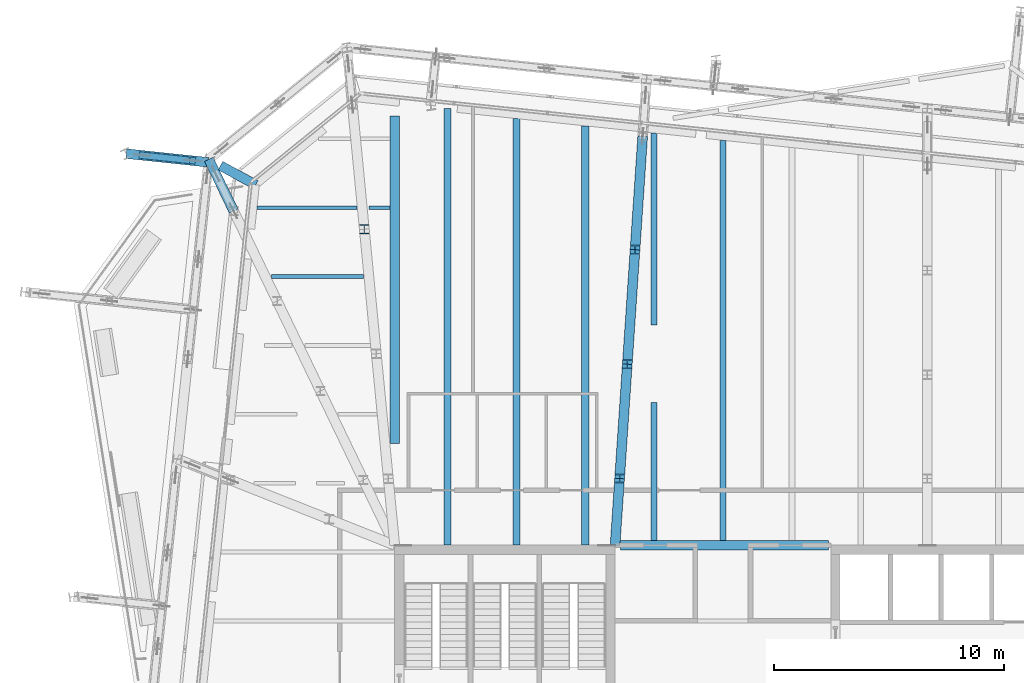
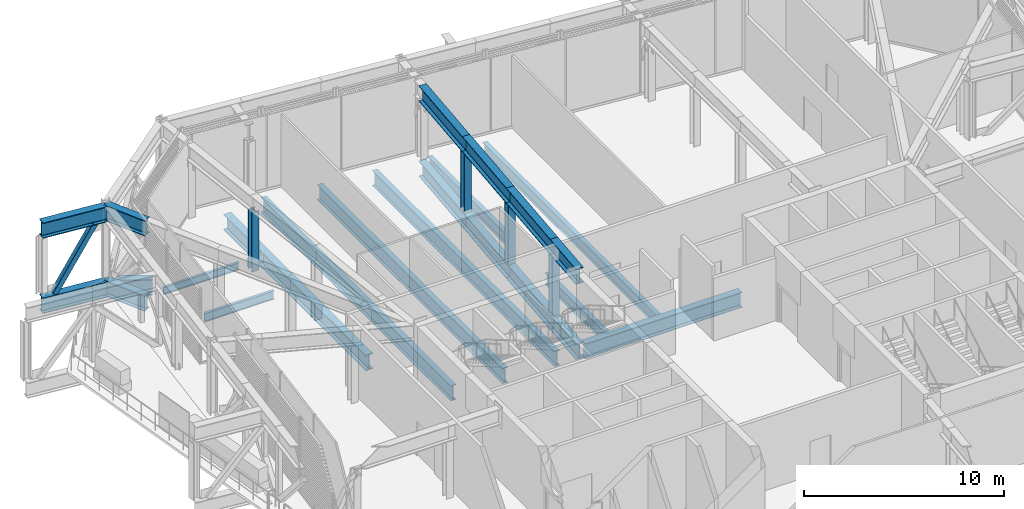
# One storey, part 14 of 36: 24 beams, 5 members.
"""IFC4 building model written with IfcOpenShell, lengths in metres."""

from ifc_helpers import new_model, si_unit, direction, frame, origin, origin_2d, place, context, subcontext, project, spatial, hollow_rectangle, i_section, extrude, material, material_profile, profile_set, type_object, element, save


model = new_model("IFC4")

# Units and contexts
model_context = context("Model", 3, precision=1e-05, world=origin(), true_north=direction((0.0, 1.0)))
body_context = subcontext(model_context, "Body", "Model", "MODEL_VIEW")
ifc_project = project(units=[si_unit("LENGTHUNIT", "METRE"), si_unit("AREAUNIT", "SQUARE_METRE"), si_unit("VOLUMEUNIT", "CUBIC_METRE"), si_unit("PLANEANGLEUNIT", "RADIAN"), si_unit("MASSUNIT", "GRAM", prefix="KILO")], contexts=[model_context])

# Site, building, storey
site_placement = place(None, origin())
site = spatial("IfcSite", under=ifc_project, at=site_placement, CompositionType="ELEMENT")
building_placement = place(site_placement, origin())
building = spatial("IfcBuilding", under=site, at=building_placement, Name="Millrace Tower", CompositionType="ELEMENT")
storey_placement = place(building_placement, frame((0.0, 0.0, 271.39990234375)))
storey = spatial("IfcBuildingStorey", under=building, at=storey_placement, Name="L62", CompositionType="ELEMENT", Elevation=271.39990234375)

# Beams
ifc_material_1 = material(Name="Steel ASTM A992 Grade 50", Category="steel")
ifc_material_profile_1 = material_profile(ifc_material_1, i_section(OverallWidth=0.15234375, OverallDepth=0.449462890625, WebThickness=0.007568359375, FlangeThickness=0.0107421875, FilletRadius=0.01025390625, at=origin_2d()))
ifc_profile_set_1 = profile_set([ifc_material_profile_1], Name="Steel ASTM A992 Grade 50")
beam_type_1 = type_object("IfcBeamType", Name="Floor beam W18x35", PredefinedType="JOIST", material=ifc_profile_set_1)
beam_1_placement = place(storey_placement, frame((-20.301025390625, 24.0, -0.384765625), z_axis=(1.0, 0.0, 0.0), x_axis=(0.0, 1.0, 0.0)))
element("IfcBeam", 1, at=beam_1_placement, inside=storey, type_object=beam_type_1, Name="BM-E-L62-S1-S033-a", PredefinedType="JOIST", context=body_context, shape_type="SweptSolid", body=[
    extrude(i_section(OverallWidth=0.15234375, OverallDepth=0.449462890625, WebThickness=0.007568359375, FlangeThickness=0.0107421875, FilletRadius=0.01025390625, at=origin_2d()), origin(), (0.0, 0.0, 1.0), 4.365234375),
])
beam_2_placement = place(storey_placement, frame((-15.424560546875, 24.0, -0.384765625), z_axis=(1.0, 0.0, 0.0), x_axis=(0.0, 1.0, 0.0)))
element("IfcBeam", 2, at=beam_2_placement, inside=storey, type_object=beam_type_1, Name="BM-E-L62-S1-S033-b", PredefinedType="JOIST", context=body_context, shape_type="SweptSolid", body=[
    extrude(i_section(OverallWidth=0.15234375, OverallDepth=0.449462890625, WebThickness=0.007568359375, FlangeThickness=0.0107421875, FilletRadius=0.01025390625, at=origin_2d()), origin(), (0.0, 0.0, 1.0), 0.9150390625),
])
ifc_material_2 = material(Name="Steel ASTM A992 Grade 50", Category="steel")
ifc_material_profile_2 = material_profile(ifc_material_2, i_section(OverallWidth=0.1650390625, OverallDepth=0.52587890625, WebThickness=0.0087890625, FlangeThickness=0.011474609375, FilletRadius=0.0126953125, at=origin_2d()))
ifc_profile_set_2 = profile_set([ifc_material_profile_2], Name="Steel ASTM A992 Grade 50")
beam_type_2 = type_object("IfcBeamType", Name="Floor beam W21x44", PredefinedType="JOIST", material=ifc_profile_set_2)
beam_3_placement = place(storey_placement, frame((-19.658203125, 21.0, -0.4228515625), z_axis=(1.0, 0.0, 0.0), x_axis=(0.0, 1.0, 0.0)))
element("IfcBeam", 3, at=beam_3_placement, inside=storey, type_object=beam_type_2, Name="BM-E-L62-S1-S031", PredefinedType="JOIST", context=body_context, shape_type="SweptSolid", body=[
    extrude(i_section(OverallWidth=0.1650390625, OverallDepth=0.52587890625, WebThickness=0.0087890625, FlangeThickness=0.011474609375, FilletRadius=0.0126953125, at=origin_2d()), origin(), (0.0, 0.0, 1.0), 4.008544921875),
])
ifc_material_3 = material(Name="Steel ASTM A992 Grade 50", Category="steel")
ifc_material_profile_3 = material_profile(ifc_material_3, i_section(OverallWidth=0.256591796875, OverallDepth=0.693359375, WebThickness=0.014404296875, FlangeThickness=0.023681640625, FilletRadius=0.01513671875, at=origin_2d()))
ifc_profile_set_3 = profile_set([ifc_material_profile_3], Name="Steel ASTM A992 Grade 50")
beam_type_3 = type_object("IfcBeamType", Name="Floor beam W27x114", PredefinedType="JOIST", material=ifc_profile_set_3)
beam_4_placement = place(storey_placement, frame((0.0, 9.509521484375, -0.506591796875), z_axis=(0.0, 1.0, 0.0), x_axis=(-1.0, 0.0, 0.0)))
element("IfcBeam", 4, at=beam_4_placement, inside=storey, type_object=beam_type_3, Name="BM-E-L62-S1-S044", PredefinedType="JOIST", context=body_context, shape_type="SweptSolid", body=[
    extrude(i_section(OverallWidth=0.256591796875, OverallDepth=0.693359375, WebThickness=0.014404296875, FlangeThickness=0.023681640625, FilletRadius=0.01513671875, at=origin_2d()), origin(), (0.0, 0.0, 1.0), 17.427734375),
])
beam_5_placement = place(storey_placement, frame((-3.0, 9.509521484375, -0.506591796875), z_axis=(0.0, 1.0, 0.0), x_axis=(-1.0, 0.0, 0.0)))
element("IfcBeam", 5, at=beam_5_placement, inside=storey, type_object=beam_type_3, Name="BM-E-L62-S1-S042-a", PredefinedType="JOIST", context=body_context, shape_type="SweptSolid", body=[
    extrude(i_section(OverallWidth=0.256591796875, OverallDepth=0.693359375, WebThickness=0.014404296875, FlangeThickness=0.023681640625, FilletRadius=0.01513671875, at=origin_2d()), origin(), (0.0, 0.0, 1.0), 5.999267578125),
])
beam_6_placement = place(storey_placement, frame((-3.0, 18.897705078125, -0.506591796875), z_axis=(0.0, 1.0, 0.0), x_axis=(-1.0, 0.0, 0.0)))
element("IfcBeam", 6, at=beam_6_placement, inside=storey, type_object=beam_type_3, Name="BM-E-L62-S1-S042-b", PredefinedType="JOIST", context=body_context, shape_type="SweptSolid", body=[
    extrude(i_section(OverallWidth=0.256591796875, OverallDepth=0.693359375, WebThickness=0.014404296875, FlangeThickness=0.023681640625, FilletRadius=0.01513671875, at=origin_2d()), origin(), (0.0, 0.0, 1.0), 8.35498046875),
])
ifc_material_4 = material(Name="Steel ASTM A992 Grade 50", Category="steel")
ifc_material_profile_4 = material_profile(ifc_material_4, i_section(OverallWidth=0.307373046875, OverallDepth=0.927001953125, WebThickness=0.01953125, FlangeThickness=0.031982421875, FilletRadius=0.01904296875, at=origin_2d()))
ifc_profile_set_4 = profile_set([ifc_material_profile_4], Name="Steel ASTM A992 Grade 50")
beam_type_4 = type_object("IfcBeamType", Name="Floor beam W36x194", PredefinedType="JOIST", material=ifc_profile_set_4)
beam_7_placement = place(storey_placement, frame((-12.0, 9.300048828125, -0.62353515625), z_axis=(0.0, 1.0, 0.0), x_axis=(-1.0, 0.0, 0.0)))
element("IfcBeam", 7, at=beam_7_placement, inside=storey, type_object=beam_type_4, Name="BM-E-L62-S1-S036", PredefinedType="JOIST", context=body_context, shape_type="SweptSolid", body=[
    extrude(i_section(OverallWidth=0.307373046875, OverallDepth=0.927001953125, WebThickness=0.01953125, FlangeThickness=0.031982421875, FilletRadius=0.01904296875, at=origin_2d()), origin(), (0.0, 0.0, 1.0), 19.030517578125),
])
beam_8_placement = place(storey_placement, frame((-9.0, 9.300048828125, -0.62353515625), z_axis=(0.0, 1.0, 0.0), x_axis=(-1.0, 0.0, 0.0)))
element("IfcBeam", 8, at=beam_8_placement, inside=storey, type_object=beam_type_4, Name="BM-E-L62-S1-S038", PredefinedType="JOIST", context=body_context, shape_type="SweptSolid", body=[
    extrude(i_section(OverallWidth=0.307373046875, OverallDepth=0.927001953125, WebThickness=0.01953125, FlangeThickness=0.031982421875, FilletRadius=0.01904296875, at=origin_2d()), origin(), (0.0, 0.0, 1.0), 18.583251953125),
])
beam_9_placement = place(storey_placement, frame((-6.0, 9.300048828125, -0.62353515625), z_axis=(0.0, 1.0, 0.0), x_axis=(-1.0, 0.0, 0.0)))
element("IfcBeam", 9, at=beam_9_placement, inside=storey, type_object=beam_type_4, Name="BM-E-L62-S1-S040", PredefinedType="JOIST", context=body_context, shape_type="SweptSolid", body=[
    extrude(i_section(OverallWidth=0.307373046875, OverallDepth=0.927001953125, WebThickness=0.01953125, FlangeThickness=0.031982421875, FilletRadius=0.01904296875, at=origin_2d()), origin(), (0.0, 0.0, 1.0), 18.267822265625),
])
ifc_material_5 = material(Name="Steel ASTM A992 Grade 50", Category="steel")
ifc_material_profile_5 = material_profile(ifc_material_5, i_section(OverallWidth=0.424072265625, OverallDepth=0.947509765625, WebThickness=0.02392578125, FlangeThickness=0.042724609375, FilletRadius=0.024169921875, at=origin_2d()))
ifc_profile_set_5 = profile_set([ifc_material_profile_5], Name="Steel ASTM A992 Grade 50")
beam_type_5 = type_object("IfcBeamType", Name="Girder medium span W36x302", PredefinedType="BEAM", material=ifc_profile_set_5)
beam_10_placement = place(storey_placement, frame((-14.300048828125, 13.729248046875, -0.633544921875), z_axis=(0.0, 1.0, 0.0), x_axis=(-1.0, 0.0, 0.0)))
element("IfcBeam", 10, at=beam_10_placement, inside=storey, type_object=beam_type_5, Name="BM-E-L62-S1-G054-b", PredefinedType="BEAM", context=body_context, shape_type="SweptSolid", body=[
    extrude(i_section(OverallWidth=0.424072265625, OverallDepth=0.947509765625, WebThickness=0.02392578125, FlangeThickness=0.042724609375, FilletRadius=0.024169921875, at=origin_2d()), origin(), (0.0, 0.0, 1.0), 14.256591796875),
])
ifc_material_6 = material(Name="Steel ASTM A992 Grade 50", Category="steel")
ifc_material_profile_6 = material_profile(ifc_material_6, i_section(OverallWidth=0.419189453125, OverallDepth=0.927001953125, WebThickness=0.019287109375, FlangeThickness=0.031982421875, FilletRadius=0.024169921875, at=origin_2d()))
ifc_profile_set_6 = profile_set([ifc_material_profile_6], Name="Steel ASTM A992 Grade 50")
beam_type_6 = type_object("IfcBeamType", Name="Girder short span W36x231", PredefinedType="BEAM", material=ifc_profile_set_6)
beam_11_placement = place(storey_placement, frame((-4.471923828125, 9.300048828125, -0.62353515625), z_axis=(1.0, 0.0, 0.0), x_axis=(0.0, 1.0, 0.0)))
element("IfcBeam", 11, at=beam_11_placement, inside=storey, type_object=beam_type_6, Name="BM-E-L62-S1-G058", PredefinedType="BEAM", context=body_context, shape_type="SweptSolid", body=[
    extrude(i_section(OverallWidth=0.419189453125, OverallDepth=0.927001953125, WebThickness=0.019287109375, FlangeThickness=0.031982421875, FilletRadius=0.024169921875, at=origin_2d()), origin(), (0.0, 0.0, 1.0), 9.072021484375),
])
ifc_material_7 = material(Name="Steel ASTM A992 Grade 50", Category="steel")
ifc_material_profile_7 = material_profile(ifc_material_7, i_section(OverallWidth=0.421630859375, OverallDepth=0.95751953125, WebThickness=0.02587890625, FlangeThickness=0.046875, FilletRadius=0.024169921875, at=origin_2d()))
ifc_profile_set_7 = profile_set([ifc_material_profile_7], Name="Steel ASTM A992 Grade 50")
beam_type_7 = type_object("IfcBeamType", Name="Link beam W36x330", PredefinedType="BEAM", material=ifc_profile_set_7)
beam_12_placement = place(storey_placement, frame((-20.3505859375, 24.99755859375, -0.638671875), z_axis=(-0.878815041832, 0.477162574235, 0.0), x_axis=(-0.477162574235, -0.878815041832, 0.0)))
element("IfcBeam", 12, at=beam_12_placement, inside=storey, type_object=beam_type_7, Name="LNK-E-L62-S1-04", PredefinedType="BEAM", context=body_context, shape_type="SweptSolid", body=[
    extrude(i_section(OverallWidth=0.421630859375, OverallDepth=0.95751953125, WebThickness=0.02587890625, FlangeThickness=0.046875, FilletRadius=0.024169921875, at=origin_2d()), origin(), (0.0, 0.0, 1.0), 1.75244140625),
])

# Members
ifc_material_8 = material(Name="Steel ASTM A992 Grade 50", Category="steel")
ifc_material_profile_8 = material_profile(ifc_material_8, i_section(OverallWidth=0.4013671875, OverallDepth=0.398681640625, WebThickness=0.02490234375, FlangeThickness=0.03955078125, FilletRadius=0.01513671875, at=origin_2d()))
ifc_profile_set_8 = profile_set([ifc_material_profile_8], Name="Steel ASTM A992 Grade 50")
member_type_1 = type_object("IfcMemberType", Name="Transfer truss Vierendeel moment post W14x211", PredefinedType="POST", material=ifc_profile_set_8)
for number, where, z_axis, x_axis, name in (
    (13, (-3.8310546875, 22.174072265625, -0.159912109375), (0.0, 0.0, 1.0), (1.0, 0.0, 0.0), "TRS-L62-C12-V02"),
    (14, (-4.167724609375, 17.185546875, -0.159912109375), (0.0, 0.0, 1.0), (1.0, 0.0, 0.0), "TRS-L62-C12-V03"),
    (15, (-4.50390625, 12.203369140625, -0.159912109375), (0.0, 0.0, 1.0), (1.0, 0.0, 0.0), "TRS-L62-C12-V04"),
    (16, (-15.62451171875, 23.066162109375, -0.159912109375), (0.0, 0.0, 1.0), (1.0, 0.0, 0.0), "TRS-L62-C13-V02"),
):
    element("IfcMember", number, at=place(storey_placement, frame(where, z_axis=z_axis, x_axis=x_axis)), inside=storey, type_object=member_type_1, Name=name, PredefinedType="POST", context=body_context, shape_type="SweptSolid", body=[
        extrude(i_section(OverallWidth=0.4013671875, OverallDepth=0.398681640625, WebThickness=0.02490234375, FlangeThickness=0.03955078125, FilletRadius=0.01513671875, at=origin_2d()), origin(), (0.0, 0.0, 1.0), 3.652587890625),
    ])

# Beams
ifc_material_9 = material(Name="Steel ASTM A992 Grade 50", Category="steel")
ifc_material_profile_9 = material_profile(ifc_material_9, i_section(OverallWidth=0.424072265625, OverallDepth=0.947509765625, WebThickness=0.02392578125, FlangeThickness=0.042724609375, FilletRadius=0.024169921875, at=origin_2d()))
ifc_profile_set_9 = profile_set([ifc_material_profile_9], Name="Steel ASTM A992 Grade 50")
beam_type_8 = type_object("IfcBeamType", Name="Transfer truss chord W36x302", PredefinedType="BEAM", material=ifc_profile_set_9)
for number, where, z_axis, x_axis, name in (
    (17, (-3.49755859375, 27.113037109375, -0.633544921875), (-0.067370070411, -0.997728055942, 0.0), (0.997728055942, -0.067370070411, 0.0), "TRS-L62-C12-B02"),
    (18, (-3.49755859375, 27.113037109375, 3.96630859375), (-0.067370070411, -0.997728055942, 0.0), (0.997728055942, -0.067370070411, 0.0), "TRS-L62-C12-T02"),
):
    element("IfcBeam", number, at=place(storey_placement, frame(where, z_axis=z_axis, x_axis=x_axis)), inside=storey, type_object=beam_type_8, Name=name, PredefinedType="BEAM", context=body_context, shape_type="SweptSolid", body=[
        extrude(i_section(OverallWidth=0.424072265625, OverallDepth=0.947509765625, WebThickness=0.02392578125, FlangeThickness=0.042724609375, FilletRadius=0.024169921875, at=origin_2d()), origin(), (0.0, 0.0, 1.0), 4.9501953125),
    ])
for number, where, z_axis, x_axis, name in (
    (19, (-3.8310546875, 22.174072265625, -0.633544921875), (-0.067335691748, -0.997730376713, 0.0), (0.997730376713, -0.067335691748, 0.0), "TRS-L62-C12-B03"),
    (20, (-3.8310546875, 22.174072265625, 3.96630859375), (-0.067335691748, -0.997730376713, 0.0), (0.997730376713, -0.067335691748, 0.0), "TRS-L62-C12-T03"),
):
    element("IfcBeam", number, at=place(storey_placement, frame(where, z_axis=z_axis, x_axis=x_axis)), inside=storey, type_object=beam_type_8, Name=name, PredefinedType="BEAM", context=body_context, shape_type="SweptSolid", body=[
        extrude(i_section(OverallWidth=0.424072265625, OverallDepth=0.947509765625, WebThickness=0.02392578125, FlangeThickness=0.042724609375, FilletRadius=0.024169921875, at=origin_2d()), origin(), (0.0, 0.0, 1.0), 4.999755859375),
    ])
for number, where, z_axis, x_axis, name in (
    (21, (-4.167724609375, 17.185546875, -0.633544921875), (-0.06732375352, -0.997731182339, 0.0), (0.997731182339, -0.06732375352, 0.0), "TRS-L62-C12-B04"),
    (22, (-4.167724609375, 17.185546875, 3.96630859375), (-0.06732375352, -0.997731182339, 0.0), (0.997731182339, -0.06732375352, 0.0), "TRS-L62-C12-T04"),
):
    element("IfcBeam", number, at=place(storey_placement, frame(where, z_axis=z_axis, x_axis=x_axis)), inside=storey, type_object=beam_type_8, Name=name, PredefinedType="BEAM", context=body_context, shape_type="SweptSolid", body=[
        extrude(i_section(OverallWidth=0.424072265625, OverallDepth=0.947509765625, WebThickness=0.02392578125, FlangeThickness=0.042724609375, FilletRadius=0.024169921875, at=origin_2d()), origin(), (0.0, 0.0, 1.0), 4.993408203125),
    ])
for number, where, z_axis, x_axis, name in (
    (23, (-4.50390625, 12.203369140625, -0.633544921875), (-0.06737097041, -0.99772799517, 0.0), (0.99772799517, -0.06737097041, 0.0), "TRS-L62-C12-B05"),
    (24, (-4.50390625, 12.203369140625, 3.96630859375), (-0.06737097041, -0.99772799517, 0.0), (0.99772799517, -0.06737097041, 0.0), "TRS-L62-C12-T05"),
):
    element("IfcBeam", number, at=place(storey_placement, frame(where, z_axis=z_axis, x_axis=x_axis)), inside=storey, type_object=beam_type_8, Name=name, PredefinedType="BEAM", context=body_context, shape_type="SweptSolid", body=[
        extrude(i_section(OverallWidth=0.424072265625, OverallDepth=0.947509765625, WebThickness=0.02392578125, FlangeThickness=0.042724609375, FilletRadius=0.024169921875, at=origin_2d()), origin(), (0.0, 0.0, 1.0), 2.909912109375),
    ])
for number, where, z_axis, x_axis, name in (
    (25, (-22.399169921875, 26.10986328125, -0.633544921875), (0.434000597926, -0.900912582329, 0.0), (0.900912582329, 0.434000597926, 0.0), "TRS-L62-C14-B01"),
    (26, (-22.399169921875, 26.10986328125, 3.96630859375), (0.434000597926, -0.900912582329, 0.0), (0.900912582329, 0.434000597926, 0.0), "TRS-L62-C14-T01"),
):
    element("IfcBeam", number, at=place(storey_placement, frame(where, z_axis=z_axis, x_axis=x_axis)), inside=storey, type_object=beam_type_8, Name=name, PredefinedType="BEAM", context=body_context, shape_type="SweptSolid", body=[
        extrude(i_section(OverallWidth=0.424072265625, OverallDepth=0.947509765625, WebThickness=0.02392578125, FlangeThickness=0.042724609375, FilletRadius=0.024169921875, at=origin_2d()), origin(), (0.0, 0.0, 1.0), 2.5),
    ])
for number, where, z_axis, x_axis, name in (
    (27, (-25.996337890625, 26.35595703125, -0.633544921875), (0.99452622568, -0.104487254889, 0.0), (0.104487254889, 0.99452622568, 0.0), "TRS-L62-B-D-X13-B01"),
    (28, (-25.996337890625, 26.35595703125, 3.96630859375), (0.99452622568, -0.104487254889, 0.0), (0.104487254889, 0.99452622568, 0.0), "TRS-L62-B-D-X13-T01"),
):
    element("IfcBeam", number, at=place(storey_placement, frame(where, z_axis=z_axis, x_axis=x_axis)), inside=storey, type_object=beam_type_8, Name=name, PredefinedType="BEAM", context=body_context, shape_type="SweptSolid", body=[
        extrude(i_section(OverallWidth=0.424072265625, OverallDepth=0.947509765625, WebThickness=0.02392578125, FlangeThickness=0.042724609375, FilletRadius=0.024169921875, at=origin_2d()), origin(), (0.0, 0.0, 1.0), 3.60302734375),
    ])

# Member
ifc_material_10 = material(Name="Steel ASTM A500 Grade C", Category="steel")
ifc_material_profile_10 = material_profile(ifc_material_10, hollow_rectangle(XDim=0.3046875, YDim=0.3046875, WallThickness=0.0126953125, InnerFilletRadius=0.00634765625, OuterFilletRadius=0.01904296875, at=origin_2d()))
ifc_profile_set_10 = profile_set([ifc_material_profile_10], Name="Steel ASTM A500 Grade C")
member_type_2 = type_object("IfcMemberType", Name="Transfer truss diagonal HSS12x12x1/2", PredefinedType="BRACE", material=ifc_profile_set_10)
member_placement = place(storey_placement, frame((-25.30029296875, 26.28271484375, -0.159912109375), z_axis=(0.51367851524, -0.053972015585, 0.856283483733), x_axis=(0.104494431177, 0.994525471696, 0.0)))
element("IfcMember", 29, at=member_placement, inside=storey, type_object=member_type_2, Name="TRS-L62-B-D-X13-D01", PredefinedType="BRACE", context=body_context, shape_type="SweptSolid", body=[
    extrude(hollow_rectangle(XDim=0.3046875, YDim=0.3046875, WallThickness=0.0126953125, InnerFilletRadius=0.00634765625, OuterFilletRadius=0.01904296875, at=origin_2d()), origin(), (0.0, 0.0, 1.0), 4.265625),
])

save(model, "model.ifc")
